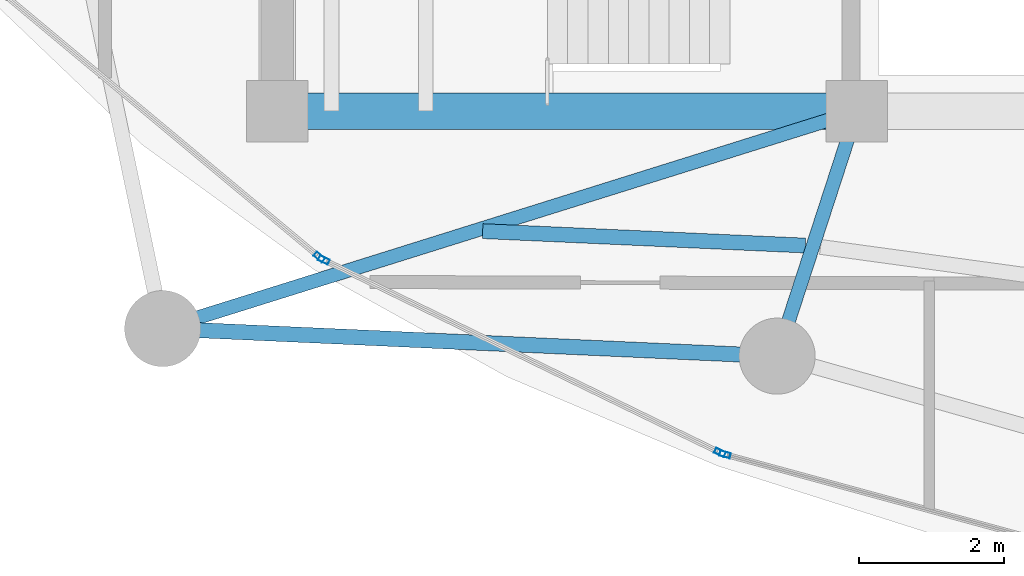
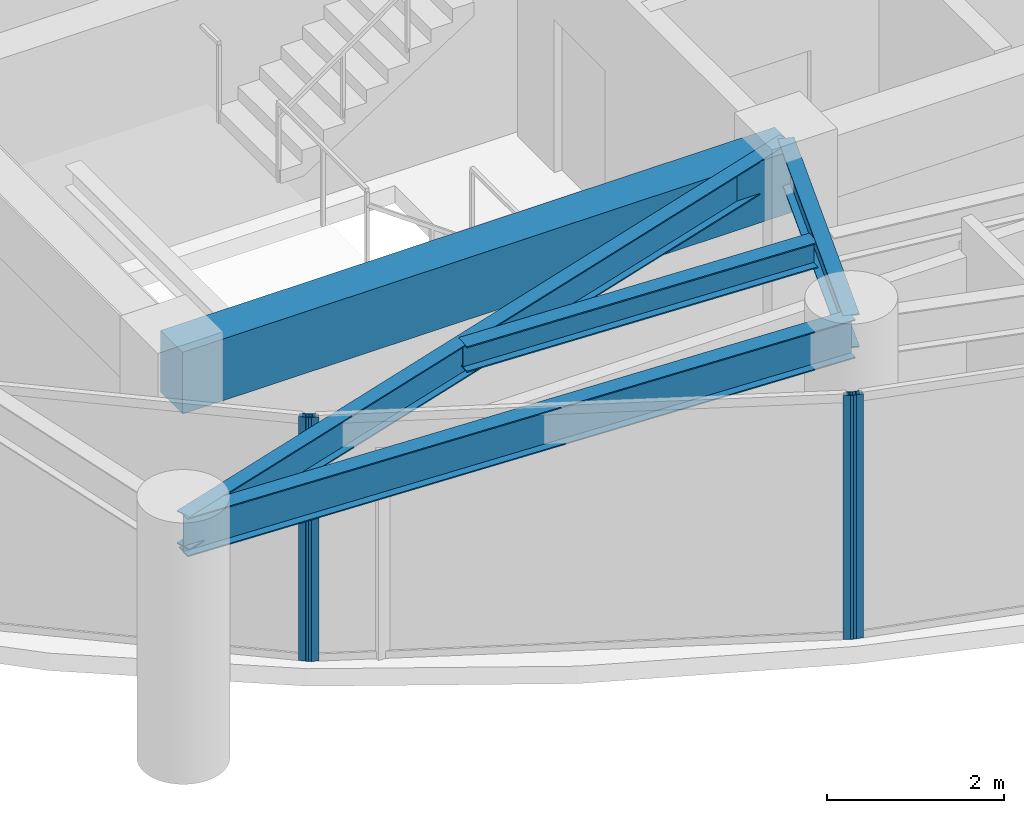
# One storey, part 2 of 29: 5 beams, 4 members, 3 elements without a shape of their own.
"""IFC4 building model written with IfcOpenShell, lengths in metres."""

from ifc_helpers import new_model, si_unit, direction, frame, origin, origin_2d, place, context, subcontext, project, spatial, rectangle, hollow_rectangle, i_section, extrude, material, layer, layer_set, material_profile, profile_set, type_object, element, aggregate, save


model = new_model("IFC4")

# Units and contexts
model_context = context("Model", 3, precision=1e-05, world=origin(), true_north=direction((0.0, 1.0)))
body_context = subcontext(model_context, "Body", "Model", "MODEL_VIEW")
ifc_project = project(units=[si_unit("LENGTHUNIT", "METRE"), si_unit("AREAUNIT", "SQUARE_METRE"), si_unit("VOLUMEUNIT", "CUBIC_METRE"), si_unit("PLANEANGLEUNIT", "RADIAN"), si_unit("MASSUNIT", "GRAM", prefix="KILO")], contexts=[model_context])

# Site, building, storey
site_placement = place(None, origin())
site = spatial("IfcSite", under=ifc_project, at=site_placement, CompositionType="ELEMENT")
building_placement = place(site_placement, origin())
building = spatial("IfcBuilding", under=site, at=building_placement, Name="Kazevale Care Tower and Concert Hall", CompositionType="ELEMENT")
storey_placement = place(building_placement, frame((0.0, 0.0, 224.39990234375)))
storey = spatial("IfcBuildingStorey", under=building, at=storey_placement, Name="L59", CompositionType="ELEMENT", Elevation=224.39990234375)

# Curtain wall, member
ifc_material_1 = material(Name="Aluminium 6063-T6 and Low-E Glass", Category="aluminium")
ifc_layer = layer(ifc_material_1, 0.179931640625)
ifc_layer_set = layer_set([ifc_layer], Name="Aluminium 6063-T6 and Low-E Glass")
curtain_wall_type = type_object("IfcCurtainWallType", Name="Sheltered Concave Balcony Curtain Wall CW-5", PredefinedType="NOTDEFINED", material=ifc_layer_set)
curtain_wall_1_placement = place(storey_placement, origin())
curtain_wall_1 = element("IfcCurtainWall", 1, at=curtain_wall_1_placement, inside=storey, type_object=curtain_wall_type, Name="cw:L59:f08", PredefinedType="NOTDEFINED")
ifc_material_2 = material(Name="Aluminium 6063-T6", Category="aluminium")
ifc_material_profile_1 = material_profile(ifc_material_2, hollow_rectangle(XDim=0.074951171875, YDim=0.14990234375, WallThickness=0.00390625, at=origin_2d()), Name="ALU75x150x4")
ifc_profile_set_1 = profile_set([ifc_material_profile_1], Name="Aluminium 6063-T6")
member_type = type_object("IfcMemberType", Name="CW-5 Mullion ALU75x150x4", PredefinedType="MULLION", material=ifc_profile_set_1)
member_1_placement = place(storey_placement, frame((28.18017578125, 18.863037109375, 0.0), z_axis=(0.0, 0.0, 1.0), x_axis=(-0.262848968947, -0.964836991167, 0.0)))
member_1 = element("IfcMember", 2, at=member_1_placement, type_object=member_type, Name="CW-5 mullion 2", PredefinedType="MULLION", context=body_context, shape_type="SweptSolid", body=[
    extrude(hollow_rectangle(XDim=0.074951171875, YDim=0.14990234375, WallThickness=0.00390625, at=origin_2d()), origin(), (0.0, 0.0, 1.0), 3.360107421875),
])
aggregate(curtain_wall_1, [member_1])

# Curtain wall, members
curtain_wall_2_placement = place(storey_placement, origin())
curtain_wall_2 = element("IfcCurtainWall", 3, at=curtain_wall_2_placement, inside=storey, type_object=curtain_wall_type, Name="cw:L59:f09", PredefinedType="NOTDEFINED")
member_2_placement = place(storey_placement, frame((28.1103515625, 18.889404296875, 0.0), z_axis=(0.0, 0.0, 1.0), x_axis=(-0.437238357087, -0.89934566163, 0.0)))
member_2 = element("IfcMember", 4, at=member_2_placement, type_object=member_type, Name="CW-5 mullion 1", PredefinedType="MULLION", context=body_context, shape_type="SweptSolid", body=[
    extrude(hollow_rectangle(XDim=0.074951171875, YDim=0.14990234375, WallThickness=0.00390625, at=origin_2d()), origin(), (0.0, 0.0, 1.0), 3.360107421875),
])
member_3_placement = place(storey_placement, frame((22.644775390625, 21.546630859375, 0.0), z_axis=(0.0, 0.0, 1.0), x_axis=(-0.437238357087, -0.89934566163, 0.0)))
member_3 = element("IfcMember", 5, at=member_3_placement, type_object=member_type, Name="CW-5 mullion 2", PredefinedType="MULLION", context=body_context, shape_type="SweptSolid", body=[
    extrude(hollow_rectangle(XDim=0.074951171875, YDim=0.14990234375, WallThickness=0.00390625, at=origin_2d()), origin(), (0.0, 0.0, 1.0), 3.360107421875),
])
aggregate(curtain_wall_2, [member_2, member_3])

# Curtain wall, member
curtain_wall_3_placement = place(storey_placement, origin())
curtain_wall_3 = element("IfcCurtainWall", 6, at=curtain_wall_3_placement, inside=storey, type_object=curtain_wall_type, Name="cw:L59:f10", PredefinedType="NOTDEFINED")
member_4_placement = place(storey_placement, frame((22.582275390625, 21.5869140625, 0.0), z_axis=(0.0, 0.0, 1.0), x_axis=(-0.639961217204, -0.768407210062, 0.0)))
member_4 = element("IfcMember", 7, at=member_4_placement, type_object=member_type, Name="CW-5 mullion 1", PredefinedType="MULLION", context=body_context, shape_type="SweptSolid", body=[
    extrude(hollow_rectangle(XDim=0.074951171875, YDim=0.14990234375, WallThickness=0.00390625, at=origin_2d()), origin(), (0.0, 0.0, 1.0), 3.360107421875),
])
aggregate(curtain_wall_3, [member_4])

# Beams
ifc_material_3 = material(Name="Concrete C60", Category="concrete")
ifc_material_profile_2 = material_profile(ifc_material_3, rectangle(XDim=0.5, YDim=0.85009765625, at=origin_2d()), Name="RC-B500x850")
ifc_profile_set_2 = profile_set([ifc_material_profile_2], Name="Concrete C60")
beam_type_1 = type_object("IfcBeamType", Name="Core Coupling Beam RC500x850", PredefinedType="LINTEL", material=ifc_profile_set_2)
beam_1_placement = place(storey_placement, frame((22.0, 23.60009765625, 2.93505859375), z_axis=(1.0, 0.0, 0.0), x_axis=(0.0, 1.0, 0.0)))
element("IfcBeam", 8, at=beam_1_placement, inside=storey, type_object=beam_type_1, Name="beam:L59:coretie:1", PredefinedType="LINTEL", context=body_context, shape_type="SweptSolid", body=[
    extrude(rectangle(XDim=0.5, YDim=0.85009765625, at=origin_2d()), origin(), (0.0, 0.0, 1.0), 8.0),
])
ifc_material_4 = material(Name="Steel ASTM A572 Gr 50", Category="steel")
ifc_material_profile_3 = material_profile(ifc_material_4, i_section(OverallWidth=0.19091796875, OverallDepth=0.4599609375, WebThickness=0.010009765625, FlangeThickness=0.01611328125, at=origin_2d()), Name="W460x82")
ifc_profile_set_3 = profile_set([ifc_material_profile_3], Name="Steel ASTM A572 Gr 50")
beam_type_2 = type_object("IfcBeamType", Name="Radial Floor Beam W460x82", PredefinedType="BEAM", material=ifc_profile_set_3)
beam_2_placement = place(storey_placement, frame((30.0, 23.60009765625, 3.130126953125), z_axis=(-0.954303255322, -0.298839918486, 0.0), x_axis=(0.298839918486, -0.954303255322, 0.0)))
element("IfcBeam", 9, at=beam_2_placement, inside=storey, type_object=beam_type_2, Name="beam:L59:rad:10", PredefinedType="BEAM", context=body_context, shape_type="SweptSolid", body=[
    extrude(i_section(OverallWidth=0.19091796875, OverallDepth=0.4599609375, WebThickness=0.010009765625, FlangeThickness=0.01611328125, at=origin_2d()), origin(), (0.0, 0.0, 1.0), 10.038818359375),
])
beam_3_placement = place(storey_placement, frame((30.0, 23.60009765625, 3.130126953125), z_axis=(-0.309482065101, -0.950905279921, 0.0), x_axis=(0.950905279921, -0.309482065101, 0.0)))
element("IfcBeam", 10, at=beam_3_placement, inside=storey, type_object=beam_type_2, Name="beam:L59:rad:11", PredefinedType="BEAM", context=body_context, shape_type="SweptSolid", body=[
    extrude(i_section(OverallWidth=0.19091796875, OverallDepth=0.4599609375, WebThickness=0.010009765625, FlangeThickness=0.01611328125, at=origin_2d()), origin(), (0.0, 0.0, 1.0), 3.5546875),
])
ifc_material_profile_4 = material_profile(ifc_material_4, i_section(OverallWidth=0.205078125, OverallDepth=0.35400390625, WebThickness=0.009521484375, FlangeThickness=0.016845703125, at=origin_2d()), Name="W360x79")
ifc_profile_set_4 = profile_set([ifc_material_profile_4], Name="Steel ASTM A572 Gr 50")
beam_type_3 = type_object("IfcBeamType", Name="Secondary Floor Joist W360x79", PredefinedType="JOIST", material=ifc_profile_set_4)
beam_4_placement = place(storey_placement, frame((24.8359375, 21.945068359375, 3.18310546875), z_axis=(0.999003687274, -0.044627713502, 0.0), x_axis=(0.044627713502, 0.999003687274, 0.0)))
element("IfcBeam", 11, at=beam_4_placement, inside=storey, type_object=beam_type_3, Name="beam:L59:joist:10", PredefinedType="JOIST", context=body_context, shape_type="SweptSolid", body=[
    extrude(i_section(OverallWidth=0.205078125, OverallDepth=0.35400390625, WebThickness=0.009521484375, FlangeThickness=0.016845703125, at=origin_2d()), origin(), (0.0, 0.0, 1.0), 4.45849609375),
])
ifc_material_profile_5 = material_profile(ifc_material_4, i_section(OverallWidth=0.208984375, OverallDepth=0.532958984375, WebThickness=0.01025390625, FlangeThickness=0.015625, at=origin_2d()), Name="W530x92")
ifc_profile_set_5 = profile_set([ifc_material_profile_5], Name="Steel ASTM A572 Gr 50")
beam_type_4 = type_object("IfcBeamType", Name="Upper Ring Beam W530x92", PredefinedType="BEAM", material=ifc_profile_set_5)
beam_5_placement = place(storey_placement, frame((20.419921875, 20.60009765625, 3.093505859375), z_axis=(0.998996808771, -0.044781425441, 0.0), x_axis=(0.044781425441, 0.998996808771, 0.0)))
element("IfcBeam", 12, at=beam_5_placement, inside=storey, type_object=beam_type_4, Name="beam:L59:ring:10", PredefinedType="BEAM", context=body_context, shape_type="SweptSolid", body=[
    extrude(i_section(OverallWidth=0.208984375, OverallDepth=0.532958984375, WebThickness=0.01025390625, FlangeThickness=0.015625, at=origin_2d()), origin(), (0.0, 0.0, 1.0), 8.488525390625),
])

save(model, "model.ifc")
